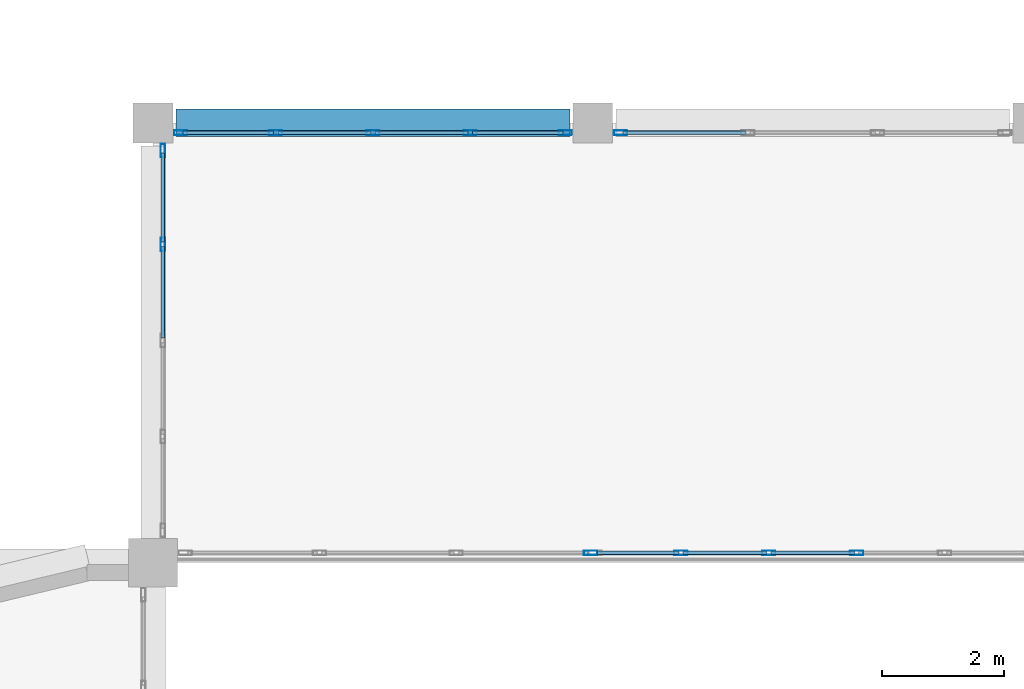
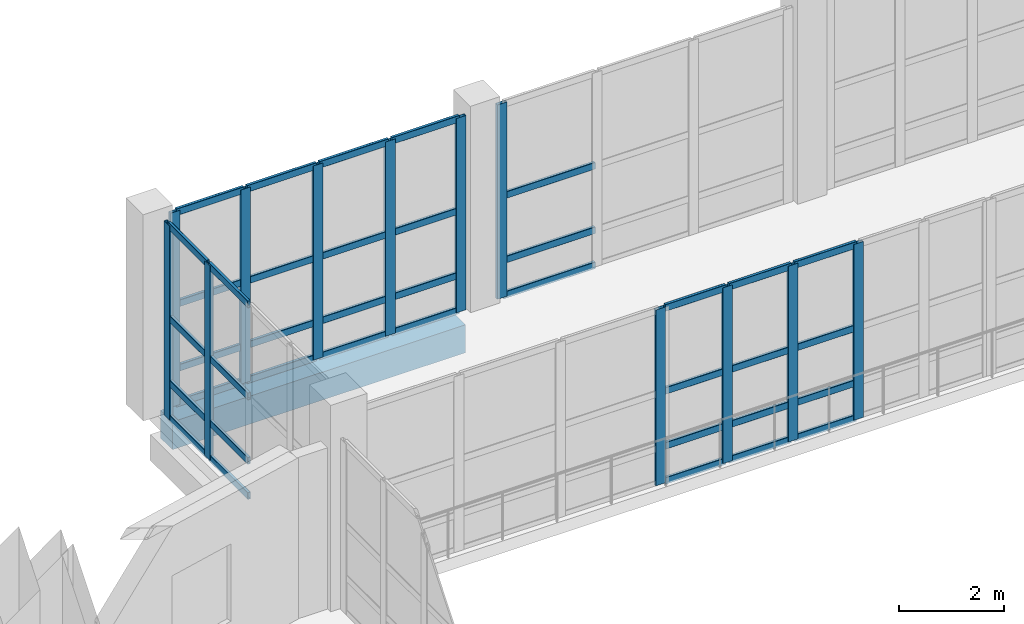
# One storey, part 22 of 127: 51 members, 1 beam, 5 elements without a shape of their own.
"""IFC4 building model written with IfcOpenShell, lengths in metres."""

from ifc_helpers import new_model, si_unit, direction, frame, origin, origin_2d, place, context, subcontext, project, spatial, rectangle, hollow_rectangle, extrude, material, material_profile, profile_set, type_object, element, aggregate, save


model = new_model("IFC4")

# Units and contexts
model_context = context("Model", 3, precision=1e-05, world=origin(), true_north=direction((0.0, 1.0)))
body_context = subcontext(model_context, "Body", "Model", "MODEL_VIEW")
ifc_project = project(units=[si_unit("LENGTHUNIT", "METRE"), si_unit("AREAUNIT", "SQUARE_METRE"), si_unit("VOLUMEUNIT", "CUBIC_METRE"), si_unit("PLANEANGLEUNIT", "RADIAN"), si_unit("MASSUNIT", "GRAM", prefix="KILO")], contexts=[model_context])

# Site, building, storey
site_placement = place(None, origin())
site = spatial("IfcSite", under=ifc_project, at=site_placement, CompositionType="ELEMENT")
building_placement = place(site_placement, origin())
building = spatial("IfcBuilding", under=site, at=building_placement, Name="Kalmorath City Hall", CompositionType="ELEMENT")
storey_placement = place(building_placement, frame((0.0, 0.0, 5.39990234375)))
storey = spatial("IfcBuildingStorey", under=building, at=storey_placement, Name="L01", CompositionType="ELEMENT", Elevation=5.39990234375)

# Beam
ifc_material_1 = material(Name="Concrete C40/50", Category="concrete")
ifc_material_profile_1 = material_profile(ifc_material_1, rectangle(XDim=0.449951171875, YDim=0.64990234375, at=origin_2d()), Name="RC-BM-450X650")
ifc_profile_set_1 = profile_set([ifc_material_profile_1], Name="Concrete C40/50")
beam_type = type_object("IfcBeamType", Name="Concrete spandrel beam 450x650", PredefinedType="SPANDREL", material=ifc_profile_set_1)
beam_placement = place(storey_placement, frame((36.375, 43.199951171875, -0.64892578125), z_axis=(1.0, 0.0, 0.0), x_axis=(0.0, 1.0, 0.0)))
element("IfcBeam", 1, at=beam_placement, inside=storey, type_object=beam_type, Name="L01 girder CB5 X6-7/7", PredefinedType="SPANDREL", context=body_context, shape_type="SweptSolid", body=[
    extrude(rectangle(XDim=0.449951171875, YDim=0.64990234375, at=origin_2d()), origin(), (0.0, 0.0, 1.0), 6.449951171875),
])

# Curtain wall, members
ifc_material_2 = material(Name="Anodised aluminium and laminated glass", Category="aluminium")
curtain_wall_type_1 = type_object("IfcCurtainWallType", Name="Unitised hurricane curtain wall 7200x4090 M1500", PredefinedType="NOTDEFINED", material=ifc_material_2)
curtain_wall_1_placement = place(storey_placement, origin())
curtain_wall_1 = element("IfcCurtainWall", 2, at=curtain_wall_1_placement, inside=storey, type_object=curtain_wall_type_1, Name="L01 curtain wall CW-72X41M15 #78", PredefinedType="NOTDEFINED")
ifc_material_3 = material(Name="Anodised aluminium framing", Category="aluminium")
ifc_material_profile_2 = material_profile(ifc_material_3, hollow_rectangle(XDim=0.074951171875, YDim=0.219970703125, WallThickness=0.00390625, InnerFilletRadius=0.00390625, OuterFilletRadius=0.008056640625, at=origin_2d()), Name="ALU-MUL-220X75X4")
ifc_profile_set_2 = profile_set([ifc_material_profile_2], Name="Anodised aluminium framing")
member_type_1 = type_object("IfcMemberType", Name="Curtain-wall primary mullion 220x75", PredefinedType="MULLION", material=ifc_profile_set_2)
member_1_placement = place(storey_placement, frame((47.52001953125, 36.159912109375, 0.0), z_axis=(0.0, 0.0, 1.0), x_axis=(0.0, -1.0, 0.0)))
member_1 = element("IfcMember", 3, at=member_1_placement, type_object=member_type_1, Name="CW-72X41M15 mullion 3", PredefinedType="MULLION", context=body_context, shape_type="SweptSolid", body=[
    extrude(hollow_rectangle(XDim=0.074951171875, YDim=0.219970703125, WallThickness=0.00390625, InnerFilletRadius=0.00390625, OuterFilletRadius=0.008056640625, at=origin_2d()), origin(), (0.0, 0.0, 1.0), 4.090087890625),
])
member_2_placement = place(storey_placement, frame((46.080078125, 36.159912109375, 0.0), z_axis=(0.0, 0.0, 1.0), x_axis=(0.0, -1.0, 0.0)))
member_2 = element("IfcMember", 4, at=member_2_placement, type_object=member_type_1, Name="CW-72X41M15 mullion 4", PredefinedType="MULLION", context=body_context, shape_type="SweptSolid", body=[
    extrude(hollow_rectangle(XDim=0.074951171875, YDim=0.219970703125, WallThickness=0.00390625, InnerFilletRadius=0.00390625, OuterFilletRadius=0.008056640625, at=origin_2d()), origin(), (0.0, 0.0, 1.0), 4.090087890625),
])
member_3_placement = place(storey_placement, frame((44.639892578125, 36.159912109375, 0.0), z_axis=(0.0, 0.0, 1.0), x_axis=(0.0, -1.0, 0.0)))
member_3 = element("IfcMember", 5, at=member_3_placement, type_object=member_type_1, Name="CW-72X41M15 mullion 5", PredefinedType="MULLION", context=body_context, shape_type="SweptSolid", body=[
    extrude(hollow_rectangle(XDim=0.074951171875, YDim=0.219970703125, WallThickness=0.00390625, InnerFilletRadius=0.00390625, OuterFilletRadius=0.008056640625, at=origin_2d()), origin(), (0.0, 0.0, 1.0), 4.090087890625),
])

# Curtain wall, member
ifc_material_4 = material(Name="Anodised aluminium and laminated glass", Category="aluminium")
curtain_wall_type_2 = type_object("IfcCurtainWallType", Name="Unitised hurricane curtain wall 6710x4090 M2100", PredefinedType="NOTDEFINED", material=ifc_material_4)
curtain_wall_2_placement = place(storey_placement, origin())
curtain_wall_2 = element("IfcCurtainWall", 6, at=curtain_wall_2_placement, inside=storey, type_object=curtain_wall_type_2, Name="L01 curtain wall CW-67X41M21 #79", PredefinedType="NOTDEFINED")
member_4_placement = place(storey_placement, frame((43.16259765625, 36.159912109375, 0.0), z_axis=(0.0, 0.0, 1.0), x_axis=(0.0, -1.0, 0.0)))
member_4 = element("IfcMember", 7, at=member_4_placement, type_object=member_type_1, Name="CW-67X41M21 mullion 1", PredefinedType="MULLION", context=body_context, shape_type="SweptSolid", body=[
    extrude(hollow_rectangle(XDim=0.074951171875, YDim=0.219970703125, WallThickness=0.00390625, InnerFilletRadius=0.00390625, OuterFilletRadius=0.008056640625, at=origin_2d()), origin(), (0.0, 0.0, 1.0), 4.090087890625),
])
aggregate(curtain_wall_2, [member_4])

# Curtain wall, members
ifc_material_5 = material(Name="Anodised aluminium and laminated glass", Category="aluminium")
curtain_wall_type_3 = type_object("IfcCurtainWallType", Name="Unitised hurricane curtain wall 6370x4520 M1500", PredefinedType="NOTDEFINED", material=ifc_material_5)
curtain_wall_3_placement = place(storey_placement, origin())
curtain_wall_3 = element("IfcCurtainWall", 8, at=curtain_wall_3_placement, inside=storey, type_object=curtain_wall_type_3, Name="L01 curtain wall CW-64X45M15 #82", PredefinedType="NOTDEFINED")
member_5_placement = place(storey_placement, frame((36.452392578125, 43.0400390625, 0.0), z_axis=(0.0, 0.0, 1.0), x_axis=(0.0, 1.0, 0.0)))
member_5 = element("IfcMember", 9, at=member_5_placement, type_object=member_type_1, Name="CW-64X45M15 mullion 1", PredefinedType="MULLION", context=body_context, shape_type="SweptSolid", body=[
    extrude(hollow_rectangle(XDim=0.074951171875, YDim=0.219970703125, WallThickness=0.00390625, InnerFilletRadius=0.00390625, OuterFilletRadius=0.008056640625, at=origin_2d()), origin(), (0.0, 0.0, 1.0), 4.52001953125),
])
member_6_placement = place(storey_placement, frame((38.007568359375, 43.0400390625, 0.0), z_axis=(0.0, 0.0, 1.0), x_axis=(0.0, 1.0, 0.0)))
member_6 = element("IfcMember", 10, at=member_6_placement, type_object=member_type_1, Name="CW-64X45M15 mullion 2", PredefinedType="MULLION", context=body_context, shape_type="SweptSolid", body=[
    extrude(hollow_rectangle(XDim=0.074951171875, YDim=0.219970703125, WallThickness=0.00390625, InnerFilletRadius=0.00390625, OuterFilletRadius=0.008056640625, at=origin_2d()), origin(), (0.0, 0.0, 1.0), 4.52001953125),
])
member_7_placement = place(storey_placement, frame((39.60009765625, 43.0400390625, 0.0), z_axis=(0.0, 0.0, 1.0), x_axis=(0.0, 1.0, 0.0)))
member_7 = element("IfcMember", 11, at=member_7_placement, type_object=member_type_1, Name="CW-64X45M15 mullion 3", PredefinedType="MULLION", context=body_context, shape_type="SweptSolid", body=[
    extrude(hollow_rectangle(XDim=0.074951171875, YDim=0.219970703125, WallThickness=0.00390625, InnerFilletRadius=0.00390625, OuterFilletRadius=0.008056640625, at=origin_2d()), origin(), (0.0, 0.0, 1.0), 4.52001953125),
])
member_8_placement = place(storey_placement, frame((41.1923828125, 43.0400390625, 0.0), z_axis=(0.0, 0.0, 1.0), x_axis=(0.0, 1.0, 0.0)))
member_8 = element("IfcMember", 12, at=member_8_placement, type_object=member_type_1, Name="CW-64X45M15 mullion 4", PredefinedType="MULLION", context=body_context, shape_type="SweptSolid", body=[
    extrude(hollow_rectangle(XDim=0.074951171875, YDim=0.219970703125, WallThickness=0.00390625, InnerFilletRadius=0.00390625, OuterFilletRadius=0.008056640625, at=origin_2d()), origin(), (0.0, 0.0, 1.0), 4.52001953125),
])
member_9_placement = place(storey_placement, frame((42.74755859375, 43.0400390625, 0.0), z_axis=(0.0, 0.0, 1.0), x_axis=(0.0, 1.0, 0.0)))
member_9 = element("IfcMember", 13, at=member_9_placement, type_object=member_type_1, Name="CW-64X45M15 mullion 5", PredefinedType="MULLION", context=body_context, shape_type="SweptSolid", body=[
    extrude(hollow_rectangle(XDim=0.074951171875, YDim=0.219970703125, WallThickness=0.00390625, InnerFilletRadius=0.00390625, OuterFilletRadius=0.008056640625, at=origin_2d()), origin(), (0.0, 0.0, 1.0), 4.52001953125),
])

# Curtain wall, member
ifc_material_6 = material(Name="Anodised aluminium and laminated glass", Category="aluminium")
curtain_wall_type_4 = type_object("IfcCurtainWallType", Name="Unitised hurricane curtain wall 6370x4520 M2100", PredefinedType="NOTDEFINED", material=ifc_material_6)
curtain_wall_4_placement = place(storey_placement, origin())
curtain_wall_4 = element("IfcCurtainWall", 14, at=curtain_wall_4_placement, inside=storey, type_object=curtain_wall_type_4, Name="L01 curtain wall CW-64X45M21 #83", PredefinedType="NOTDEFINED")
member_10_placement = place(storey_placement, frame((43.652587890625, 43.0400390625, 0.0), z_axis=(0.0, 0.0, 1.0), x_axis=(0.0, 1.0, 0.0)))
member_10 = element("IfcMember", 15, at=member_10_placement, type_object=member_type_1, Name="CW-64X45M21 mullion 1", PredefinedType="MULLION", context=body_context, shape_type="SweptSolid", body=[
    extrude(hollow_rectangle(XDim=0.074951171875, YDim=0.219970703125, WallThickness=0.00390625, InnerFilletRadius=0.00390625, OuterFilletRadius=0.008056640625, at=origin_2d()), origin(), (0.0, 0.0, 1.0), 4.52001953125),
])

# Curtain wall, members
ifc_material_7 = material(Name="Anodised aluminium and laminated glass", Category="aluminium")
curtain_wall_type_5 = type_object("IfcCurtainWallType", Name="Unitised hurricane curtain wall 6295x4520 M1500", PredefinedType="NOTDEFINED", material=ifc_material_7)
curtain_wall_5_placement = place(storey_placement, origin())
curtain_wall_5 = element("IfcCurtainWall", 16, at=curtain_wall_5_placement, inside=storey, type_object=curtain_wall_type_5, Name="L01 curtain wall CW-63X45M15 #112", PredefinedType="NOTDEFINED")
member_11_placement = place(storey_placement, frame((36.159912109375, 41.211181640625, 0.0), z_axis=(0.0, 0.0, 1.0), x_axis=(-1.0, 0.0, 0.0)))
member_11 = element("IfcMember", 17, at=member_11_placement, type_object=member_type_1, Name="CW-63X45M15 mullion 4", PredefinedType="MULLION", context=body_context, shape_type="SweptSolid", body=[
    extrude(hollow_rectangle(XDim=0.074951171875, YDim=0.219970703125, WallThickness=0.00390625, InnerFilletRadius=0.00390625, OuterFilletRadius=0.008056640625, at=origin_2d()), origin(), (0.0, 0.0, 1.0), 4.52001953125),
])
member_12_placement = place(storey_placement, frame((36.159912109375, 42.74755859375, 0.0), z_axis=(0.0, 0.0, 1.0), x_axis=(-1.0, 0.0, 0.0)))
member_12 = element("IfcMember", 18, at=member_12_placement, type_object=member_type_1, Name="CW-63X45M15 mullion 5", PredefinedType="MULLION", context=body_context, shape_type="SweptSolid", body=[
    extrude(hollow_rectangle(XDim=0.074951171875, YDim=0.219970703125, WallThickness=0.00390625, InnerFilletRadius=0.00390625, OuterFilletRadius=0.008056640625, at=origin_2d()), origin(), (0.0, 0.0, 1.0), 4.52001953125),
])

# Member
ifc_material_8 = material(Name="Anodised aluminium framing", Category="aluminium")
ifc_material_profile_3 = material_profile(ifc_material_8, hollow_rectangle(XDim=0.06494140625, YDim=0.159912109375, WallThickness=0.00390625, InnerFilletRadius=0.00390625, OuterFilletRadius=0.008056640625, at=origin_2d()), Name="ALU-TRN-160X65X4")
ifc_profile_set_3 = profile_set([ifc_material_profile_3], Name="Anodised aluminium framing")
member_type_2 = type_object("IfcMemberType", Name="Curtain-wall primary transom 160x65", PredefinedType="USERDEFINED", material=ifc_profile_set_3)
member_13_placement = place(storey_placement, frame((47.482421875, 36.159912109375, 0.03271484375), z_axis=(-1.0, 0.0, 0.0), x_axis=(0.0, -1.0, 0.0)))
member_13 = element("IfcMember", 19, at=member_13_placement, type_object=member_type_2, Name="CW-72X41M15 transom 3.1", ObjectType="TRANSOM", PredefinedType="USERDEFINED", context=body_context, shape_type="SweptSolid", body=[
    extrude(hollow_rectangle(XDim=0.06494140625, YDim=0.159912109375, WallThickness=0.00390625, InnerFilletRadius=0.00390625, OuterFilletRadius=0.008056640625, at=origin_2d()), origin(), (0.0, 0.0, 1.0), 1.364990234375),
])

member_14_placement = place(storey_placement, frame((47.482421875, 36.159912109375, 0.85009765625), z_axis=(-1.0, 0.0, 0.0), x_axis=(0.0, -1.0, 0.0)))
member_14 = element("IfcMember", 20, at=member_14_placement, type_object=member_type_2, Name="CW-72X41M15 transom 3.2", ObjectType="TRANSOM", PredefinedType="USERDEFINED", context=body_context, shape_type="SweptSolid", body=[
    extrude(hollow_rectangle(XDim=0.06494140625, YDim=0.159912109375, WallThickness=0.00390625, InnerFilletRadius=0.00390625, OuterFilletRadius=0.008056640625, at=origin_2d()), origin(), (0.0, 0.0, 1.0), 1.364990234375),
])

member_15_placement = place(storey_placement, frame((47.482421875, 36.159912109375, 2.127197265625), z_axis=(-1.0, 0.0, 0.0), x_axis=(0.0, -1.0, 0.0)))
member_15 = element("IfcMember", 21, at=member_15_placement, type_object=member_type_2, Name="CW-72X41M15 transom 3.3", ObjectType="TRANSOM", PredefinedType="USERDEFINED", context=body_context, shape_type="SweptSolid", body=[
    extrude(hollow_rectangle(XDim=0.06494140625, YDim=0.159912109375, WallThickness=0.00390625, InnerFilletRadius=0.00390625, OuterFilletRadius=0.008056640625, at=origin_2d()), origin(), (0.0, 0.0, 1.0), 1.364990234375),
])

member_16_placement = place(storey_placement, frame((47.482421875, 36.159912109375, 4.0576171875), z_axis=(-1.0, 0.0, 0.0), x_axis=(0.0, -1.0, 0.0)))
member_16 = element("IfcMember", 22, at=member_16_placement, type_object=member_type_2, Name="CW-72X41M15 transom 3.4", ObjectType="TRANSOM", PredefinedType="USERDEFINED", context=body_context, shape_type="SweptSolid", body=[
    extrude(hollow_rectangle(XDim=0.06494140625, YDim=0.159912109375, WallThickness=0.00390625, InnerFilletRadius=0.00390625, OuterFilletRadius=0.008056640625, at=origin_2d()), origin(), (0.0, 0.0, 1.0), 1.364990234375),
])

member_17_placement = place(storey_placement, frame((46.04248046875, 36.159912109375, 0.03271484375), z_axis=(-1.0, 0.0, 0.0), x_axis=(0.0, -1.0, 0.0)))
member_17 = element("IfcMember", 23, at=member_17_placement, type_object=member_type_2, Name="CW-72X41M15 transom 4.1", ObjectType="TRANSOM", PredefinedType="USERDEFINED", context=body_context, shape_type="SweptSolid", body=[
    extrude(hollow_rectangle(XDim=0.06494140625, YDim=0.159912109375, WallThickness=0.00390625, InnerFilletRadius=0.00390625, OuterFilletRadius=0.008056640625, at=origin_2d()), origin(), (0.0, 0.0, 1.0), 1.364990234375),
])

member_18_placement = place(storey_placement, frame((46.04248046875, 36.159912109375, 0.85009765625), z_axis=(-1.0, 0.0, 0.0), x_axis=(0.0, -1.0, 0.0)))
member_18 = element("IfcMember", 24, at=member_18_placement, type_object=member_type_2, Name="CW-72X41M15 transom 4.2", ObjectType="TRANSOM", PredefinedType="USERDEFINED", context=body_context, shape_type="SweptSolid", body=[
    extrude(hollow_rectangle(XDim=0.06494140625, YDim=0.159912109375, WallThickness=0.00390625, InnerFilletRadius=0.00390625, OuterFilletRadius=0.008056640625, at=origin_2d()), origin(), (0.0, 0.0, 1.0), 1.364990234375),
])

member_19_placement = place(storey_placement, frame((46.04248046875, 36.159912109375, 2.127197265625), z_axis=(-1.0, 0.0, 0.0), x_axis=(0.0, -1.0, 0.0)))
member_19 = element("IfcMember", 25, at=member_19_placement, type_object=member_type_2, Name="CW-72X41M15 transom 4.3", ObjectType="TRANSOM", PredefinedType="USERDEFINED", context=body_context, shape_type="SweptSolid", body=[
    extrude(hollow_rectangle(XDim=0.06494140625, YDim=0.159912109375, WallThickness=0.00390625, InnerFilletRadius=0.00390625, OuterFilletRadius=0.008056640625, at=origin_2d()), origin(), (0.0, 0.0, 1.0), 1.364990234375),
])

member_20_placement = place(storey_placement, frame((46.04248046875, 36.159912109375, 4.0576171875), z_axis=(-1.0, 0.0, 0.0), x_axis=(0.0, -1.0, 0.0)))
member_20 = element("IfcMember", 26, at=member_20_placement, type_object=member_type_2, Name="CW-72X41M15 transom 4.4", ObjectType="TRANSOM", PredefinedType="USERDEFINED", context=body_context, shape_type="SweptSolid", body=[
    extrude(hollow_rectangle(XDim=0.06494140625, YDim=0.159912109375, WallThickness=0.00390625, InnerFilletRadius=0.00390625, OuterFilletRadius=0.008056640625, at=origin_2d()), origin(), (0.0, 0.0, 1.0), 1.364990234375),
])

member_21_placement = place(storey_placement, frame((44.6025390625, 36.159912109375, 0.03271484375), z_axis=(-1.0, 0.0, 0.0), x_axis=(0.0, -1.0, 0.0)))
member_21 = element("IfcMember", 27, at=member_21_placement, type_object=member_type_2, Name="CW-72X41M15 transom 5.1", ObjectType="TRANSOM", PredefinedType="USERDEFINED", context=body_context, shape_type="SweptSolid", body=[
    extrude(hollow_rectangle(XDim=0.06494140625, YDim=0.159912109375, WallThickness=0.00390625, InnerFilletRadius=0.00390625, OuterFilletRadius=0.008056640625, at=origin_2d()), origin(), (0.0, 0.0, 1.0), 1.32763671875),
])

member_22_placement = place(storey_placement, frame((44.6025390625, 36.159912109375, 0.85009765625), z_axis=(-1.0, 0.0, 0.0), x_axis=(0.0, -1.0, 0.0)))
member_22 = element("IfcMember", 28, at=member_22_placement, type_object=member_type_2, Name="CW-72X41M15 transom 5.2", ObjectType="TRANSOM", PredefinedType="USERDEFINED", context=body_context, shape_type="SweptSolid", body=[
    extrude(hollow_rectangle(XDim=0.06494140625, YDim=0.159912109375, WallThickness=0.00390625, InnerFilletRadius=0.00390625, OuterFilletRadius=0.008056640625, at=origin_2d()), origin(), (0.0, 0.0, 1.0), 1.32763671875),
])

member_23_placement = place(storey_placement, frame((44.6025390625, 36.159912109375, 2.127197265625), z_axis=(-1.0, 0.0, 0.0), x_axis=(0.0, -1.0, 0.0)))
member_23 = element("IfcMember", 29, at=member_23_placement, type_object=member_type_2, Name="CW-72X41M15 transom 5.3", ObjectType="TRANSOM", PredefinedType="USERDEFINED", context=body_context, shape_type="SweptSolid", body=[
    extrude(hollow_rectangle(XDim=0.06494140625, YDim=0.159912109375, WallThickness=0.00390625, InnerFilletRadius=0.00390625, OuterFilletRadius=0.008056640625, at=origin_2d()), origin(), (0.0, 0.0, 1.0), 1.32763671875),
])

member_24_placement = place(storey_placement, frame((44.6025390625, 36.159912109375, 4.0576171875), z_axis=(-1.0, 0.0, 0.0), x_axis=(0.0, -1.0, 0.0)))
member_24 = element("IfcMember", 30, at=member_24_placement, type_object=member_type_2, Name="CW-72X41M15 transom 5.4", ObjectType="TRANSOM", PredefinedType="USERDEFINED", context=body_context, shape_type="SweptSolid", body=[
    extrude(hollow_rectangle(XDim=0.06494140625, YDim=0.159912109375, WallThickness=0.00390625, InnerFilletRadius=0.00390625, OuterFilletRadius=0.008056640625, at=origin_2d()), origin(), (0.0, 0.0, 1.0), 1.32763671875),
])

aggregate(curtain_wall_1, [member_1, member_2, member_3, member_13, member_14, member_15, member_16, member_17, member_18, member_19, member_20, member_21, member_22, member_23, member_24])

member_25_placement = place(storey_placement, frame((36.489990234375, 43.0400390625, 0.03271484375), z_axis=(1.0, 0.0, 0.0), x_axis=(0.0, 1.0, 0.0)))
member_25 = element("IfcMember", 31, at=member_25_placement, type_object=member_type_2, Name="CW-64X45M15 transom 1.1", ObjectType="TRANSOM", PredefinedType="USERDEFINED", context=body_context, shape_type="SweptSolid", body=[
    extrude(hollow_rectangle(XDim=0.06494140625, YDim=0.159912109375, WallThickness=0.00390625, InnerFilletRadius=0.00390625, OuterFilletRadius=0.008056640625, at=origin_2d()), origin(), (0.0, 0.0, 1.0), 1.47998046875),
])

member_26_placement = place(storey_placement, frame((36.489990234375, 43.0400390625, 0.85009765625), z_axis=(1.0, 0.0, 0.0), x_axis=(0.0, 1.0, 0.0)))
member_26 = element("IfcMember", 32, at=member_26_placement, type_object=member_type_2, Name="CW-64X45M15 transom 1.2", ObjectType="TRANSOM", PredefinedType="USERDEFINED", context=body_context, shape_type="SweptSolid", body=[
    extrude(hollow_rectangle(XDim=0.06494140625, YDim=0.159912109375, WallThickness=0.00390625, InnerFilletRadius=0.00390625, OuterFilletRadius=0.008056640625, at=origin_2d()), origin(), (0.0, 0.0, 1.0), 1.47998046875),
])

member_27_placement = place(storey_placement, frame((36.489990234375, 43.0400390625, 2.35009765625), z_axis=(1.0, 0.0, 0.0), x_axis=(0.0, 1.0, 0.0)))
member_27 = element("IfcMember", 33, at=member_27_placement, type_object=member_type_2, Name="CW-64X45M15 transom 1.3", ObjectType="TRANSOM", PredefinedType="USERDEFINED", context=body_context, shape_type="SweptSolid", body=[
    extrude(hollow_rectangle(XDim=0.06494140625, YDim=0.159912109375, WallThickness=0.00390625, InnerFilletRadius=0.00390625, OuterFilletRadius=0.008056640625, at=origin_2d()), origin(), (0.0, 0.0, 1.0), 1.47998046875),
])

member_28_placement = place(storey_placement, frame((36.489990234375, 43.0400390625, 4.487548828125), z_axis=(1.0, 0.0, 0.0), x_axis=(0.0, 1.0, 0.0)))
member_28 = element("IfcMember", 34, at=member_28_placement, type_object=member_type_2, Name="CW-64X45M15 transom 1.4", ObjectType="TRANSOM", PredefinedType="USERDEFINED", context=body_context, shape_type="SweptSolid", body=[
    extrude(hollow_rectangle(XDim=0.06494140625, YDim=0.159912109375, WallThickness=0.00390625, InnerFilletRadius=0.00390625, OuterFilletRadius=0.008056640625, at=origin_2d()), origin(), (0.0, 0.0, 1.0), 1.47998046875),
])

member_29_placement = place(storey_placement, frame((38.044921875, 43.0400390625, 0.03271484375), z_axis=(1.0, 0.0, 0.0), x_axis=(0.0, 1.0, 0.0)))
member_29 = element("IfcMember", 35, at=member_29_placement, type_object=member_type_2, Name="CW-64X45M15 transom 2.1", ObjectType="TRANSOM", PredefinedType="USERDEFINED", context=body_context, shape_type="SweptSolid", body=[
    extrude(hollow_rectangle(XDim=0.06494140625, YDim=0.159912109375, WallThickness=0.00390625, InnerFilletRadius=0.00390625, OuterFilletRadius=0.008056640625, at=origin_2d()), origin(), (0.0, 0.0, 1.0), 1.517578125),
])

member_30_placement = place(storey_placement, frame((38.044921875, 43.0400390625, 0.85009765625), z_axis=(1.0, 0.0, 0.0), x_axis=(0.0, 1.0, 0.0)))
member_30 = element("IfcMember", 36, at=member_30_placement, type_object=member_type_2, Name="CW-64X45M15 transom 2.2", ObjectType="TRANSOM", PredefinedType="USERDEFINED", context=body_context, shape_type="SweptSolid", body=[
    extrude(hollow_rectangle(XDim=0.06494140625, YDim=0.159912109375, WallThickness=0.00390625, InnerFilletRadius=0.00390625, OuterFilletRadius=0.008056640625, at=origin_2d()), origin(), (0.0, 0.0, 1.0), 1.517578125),
])

member_31_placement = place(storey_placement, frame((38.044921875, 43.0400390625, 2.35009765625), z_axis=(1.0, 0.0, 0.0), x_axis=(0.0, 1.0, 0.0)))
member_31 = element("IfcMember", 37, at=member_31_placement, type_object=member_type_2, Name="CW-64X45M15 transom 2.3", ObjectType="TRANSOM", PredefinedType="USERDEFINED", context=body_context, shape_type="SweptSolid", body=[
    extrude(hollow_rectangle(XDim=0.06494140625, YDim=0.159912109375, WallThickness=0.00390625, InnerFilletRadius=0.00390625, OuterFilletRadius=0.008056640625, at=origin_2d()), origin(), (0.0, 0.0, 1.0), 1.517578125),
])

member_32_placement = place(storey_placement, frame((38.044921875, 43.0400390625, 4.487548828125), z_axis=(1.0, 0.0, 0.0), x_axis=(0.0, 1.0, 0.0)))
member_32 = element("IfcMember", 38, at=member_32_placement, type_object=member_type_2, Name="CW-64X45M15 transom 2.4", ObjectType="TRANSOM", PredefinedType="USERDEFINED", context=body_context, shape_type="SweptSolid", body=[
    extrude(hollow_rectangle(XDim=0.06494140625, YDim=0.159912109375, WallThickness=0.00390625, InnerFilletRadius=0.00390625, OuterFilletRadius=0.008056640625, at=origin_2d()), origin(), (0.0, 0.0, 1.0), 1.517578125),
])

member_33_placement = place(storey_placement, frame((39.637451171875, 43.0400390625, 0.03271484375), z_axis=(1.0, 0.0, 0.0), x_axis=(0.0, 1.0, 0.0)))
member_33 = element("IfcMember", 39, at=member_33_placement, type_object=member_type_2, Name="CW-64X45M15 transom 3.1", ObjectType="TRANSOM", PredefinedType="USERDEFINED", context=body_context, shape_type="SweptSolid", body=[
    extrude(hollow_rectangle(XDim=0.06494140625, YDim=0.159912109375, WallThickness=0.00390625, InnerFilletRadius=0.00390625, OuterFilletRadius=0.008056640625, at=origin_2d()), origin(), (0.0, 0.0, 1.0), 1.517578125),
])

member_34_placement = place(storey_placement, frame((39.637451171875, 43.0400390625, 0.85009765625), z_axis=(1.0, 0.0, 0.0), x_axis=(0.0, 1.0, 0.0)))
member_34 = element("IfcMember", 40, at=member_34_placement, type_object=member_type_2, Name="CW-64X45M15 transom 3.2", ObjectType="TRANSOM", PredefinedType="USERDEFINED", context=body_context, shape_type="SweptSolid", body=[
    extrude(hollow_rectangle(XDim=0.06494140625, YDim=0.159912109375, WallThickness=0.00390625, InnerFilletRadius=0.00390625, OuterFilletRadius=0.008056640625, at=origin_2d()), origin(), (0.0, 0.0, 1.0), 1.517578125),
])

member_35_placement = place(storey_placement, frame((39.637451171875, 43.0400390625, 2.35009765625), z_axis=(1.0, 0.0, 0.0), x_axis=(0.0, 1.0, 0.0)))
member_35 = element("IfcMember", 41, at=member_35_placement, type_object=member_type_2, Name="CW-64X45M15 transom 3.3", ObjectType="TRANSOM", PredefinedType="USERDEFINED", context=body_context, shape_type="SweptSolid", body=[
    extrude(hollow_rectangle(XDim=0.06494140625, YDim=0.159912109375, WallThickness=0.00390625, InnerFilletRadius=0.00390625, OuterFilletRadius=0.008056640625, at=origin_2d()), origin(), (0.0, 0.0, 1.0), 1.517578125),
])

member_36_placement = place(storey_placement, frame((39.637451171875, 43.0400390625, 4.487548828125), z_axis=(1.0, 0.0, 0.0), x_axis=(0.0, 1.0, 0.0)))
member_36 = element("IfcMember", 42, at=member_36_placement, type_object=member_type_2, Name="CW-64X45M15 transom 3.4", ObjectType="TRANSOM", PredefinedType="USERDEFINED", context=body_context, shape_type="SweptSolid", body=[
    extrude(hollow_rectangle(XDim=0.06494140625, YDim=0.159912109375, WallThickness=0.00390625, InnerFilletRadius=0.00390625, OuterFilletRadius=0.008056640625, at=origin_2d()), origin(), (0.0, 0.0, 1.0), 1.517578125),
])

member_37_placement = place(storey_placement, frame((41.22998046875, 43.0400390625, 0.03271484375), z_axis=(1.0, 0.0, 0.0), x_axis=(0.0, 1.0, 0.0)))
member_37 = element("IfcMember", 43, at=member_37_placement, type_object=member_type_2, Name="CW-64X45M15 transom 4.1", ObjectType="TRANSOM", PredefinedType="USERDEFINED", context=body_context, shape_type="SweptSolid", body=[
    extrude(hollow_rectangle(XDim=0.06494140625, YDim=0.159912109375, WallThickness=0.00390625, InnerFilletRadius=0.00390625, OuterFilletRadius=0.008056640625, at=origin_2d()), origin(), (0.0, 0.0, 1.0), 1.47998046875),
])

member_38_placement = place(storey_placement, frame((41.22998046875, 43.0400390625, 0.85009765625), z_axis=(1.0, 0.0, 0.0), x_axis=(0.0, 1.0, 0.0)))
member_38 = element("IfcMember", 44, at=member_38_placement, type_object=member_type_2, Name="CW-64X45M15 transom 4.2", ObjectType="TRANSOM", PredefinedType="USERDEFINED", context=body_context, shape_type="SweptSolid", body=[
    extrude(hollow_rectangle(XDim=0.06494140625, YDim=0.159912109375, WallThickness=0.00390625, InnerFilletRadius=0.00390625, OuterFilletRadius=0.008056640625, at=origin_2d()), origin(), (0.0, 0.0, 1.0), 1.47998046875),
])

member_39_placement = place(storey_placement, frame((41.22998046875, 43.0400390625, 2.35009765625), z_axis=(1.0, 0.0, 0.0), x_axis=(0.0, 1.0, 0.0)))
member_39 = element("IfcMember", 45, at=member_39_placement, type_object=member_type_2, Name="CW-64X45M15 transom 4.3", ObjectType="TRANSOM", PredefinedType="USERDEFINED", context=body_context, shape_type="SweptSolid", body=[
    extrude(hollow_rectangle(XDim=0.06494140625, YDim=0.159912109375, WallThickness=0.00390625, InnerFilletRadius=0.00390625, OuterFilletRadius=0.008056640625, at=origin_2d()), origin(), (0.0, 0.0, 1.0), 1.47998046875),
])

member_40_placement = place(storey_placement, frame((41.22998046875, 43.0400390625, 4.487548828125), z_axis=(1.0, 0.0, 0.0), x_axis=(0.0, 1.0, 0.0)))
member_40 = element("IfcMember", 46, at=member_40_placement, type_object=member_type_2, Name="CW-64X45M15 transom 4.4", ObjectType="TRANSOM", PredefinedType="USERDEFINED", context=body_context, shape_type="SweptSolid", body=[
    extrude(hollow_rectangle(XDim=0.06494140625, YDim=0.159912109375, WallThickness=0.00390625, InnerFilletRadius=0.00390625, OuterFilletRadius=0.008056640625, at=origin_2d()), origin(), (0.0, 0.0, 1.0), 1.47998046875),
])

aggregate(curtain_wall_3, [member_5, member_6, member_7, member_8, member_9, member_25, member_26, member_27, member_28, member_29, member_30, member_31, member_32, member_33, member_34, member_35, member_36, member_37, member_38, member_39, member_40])

member_41_placement = place(storey_placement, frame((43.68994140625, 43.0400390625, 0.03271484375), z_axis=(1.0, 0.0, 0.0), x_axis=(0.0, 1.0, 0.0)))
member_41 = element("IfcMember", 47, at=member_41_placement, type_object=member_type_2, Name="CW-64X45M21 transom 1.1", ObjectType="TRANSOM", PredefinedType="USERDEFINED", context=body_context, shape_type="SweptSolid", body=[
    extrude(hollow_rectangle(XDim=0.06494140625, YDim=0.159912109375, WallThickness=0.00390625, InnerFilletRadius=0.00390625, OuterFilletRadius=0.008056640625, at=origin_2d()), origin(), (0.0, 0.0, 1.0), 2.010986328125),
])

member_42_placement = place(storey_placement, frame((43.68994140625, 43.0400390625, 0.85009765625), z_axis=(1.0, 0.0, 0.0), x_axis=(0.0, 1.0, 0.0)))
member_42 = element("IfcMember", 48, at=member_42_placement, type_object=member_type_2, Name="CW-64X45M21 transom 1.2", ObjectType="TRANSOM", PredefinedType="USERDEFINED", context=body_context, shape_type="SweptSolid", body=[
    extrude(hollow_rectangle(XDim=0.06494140625, YDim=0.159912109375, WallThickness=0.00390625, InnerFilletRadius=0.00390625, OuterFilletRadius=0.008056640625, at=origin_2d()), origin(), (0.0, 0.0, 1.0), 2.010986328125),
])

member_43_placement = place(storey_placement, frame((43.68994140625, 43.0400390625, 2.35009765625), z_axis=(1.0, 0.0, 0.0), x_axis=(0.0, 1.0, 0.0)))
member_43 = element("IfcMember", 49, at=member_43_placement, type_object=member_type_2, Name="CW-64X45M21 transom 1.3", ObjectType="TRANSOM", PredefinedType="USERDEFINED", context=body_context, shape_type="SweptSolid", body=[
    extrude(hollow_rectangle(XDim=0.06494140625, YDim=0.159912109375, WallThickness=0.00390625, InnerFilletRadius=0.00390625, OuterFilletRadius=0.008056640625, at=origin_2d()), origin(), (0.0, 0.0, 1.0), 2.010986328125),
])

aggregate(curtain_wall_4, [member_10, member_41, member_42, member_43])

member_44_placement = place(storey_placement, frame((36.159912109375, 39.675048828125, 0.03271484375), z_axis=(0.0, 1.0, 0.0), x_axis=(-1.0, 0.0, 0.0)))
member_44 = element("IfcMember", 50, at=member_44_placement, type_object=member_type_2, Name="CW-63X45M15 transom 3.1", ObjectType="TRANSOM", PredefinedType="USERDEFINED", context=body_context, shape_type="SweptSolid", body=[
    extrude(hollow_rectangle(XDim=0.06494140625, YDim=0.159912109375, WallThickness=0.00390625, InnerFilletRadius=0.00390625, OuterFilletRadius=0.008056640625, at=origin_2d()), origin(), (0.0, 0.0, 1.0), 1.498779296875),
])

member_45_placement = place(storey_placement, frame((36.159912109375, 39.675048828125, 0.85009765625), z_axis=(0.0, 1.0, 0.0), x_axis=(-1.0, 0.0, 0.0)))
member_45 = element("IfcMember", 51, at=member_45_placement, type_object=member_type_2, Name="CW-63X45M15 transom 3.2", ObjectType="TRANSOM", PredefinedType="USERDEFINED", context=body_context, shape_type="SweptSolid", body=[
    extrude(hollow_rectangle(XDim=0.06494140625, YDim=0.159912109375, WallThickness=0.00390625, InnerFilletRadius=0.00390625, OuterFilletRadius=0.008056640625, at=origin_2d()), origin(), (0.0, 0.0, 1.0), 1.498779296875),
])

member_46_placement = place(storey_placement, frame((36.159912109375, 39.675048828125, 2.35009765625), z_axis=(0.0, 1.0, 0.0), x_axis=(-1.0, 0.0, 0.0)))
member_46 = element("IfcMember", 52, at=member_46_placement, type_object=member_type_2, Name="CW-63X45M15 transom 3.3", ObjectType="TRANSOM", PredefinedType="USERDEFINED", context=body_context, shape_type="SweptSolid", body=[
    extrude(hollow_rectangle(XDim=0.06494140625, YDim=0.159912109375, WallThickness=0.00390625, InnerFilletRadius=0.00390625, OuterFilletRadius=0.008056640625, at=origin_2d()), origin(), (0.0, 0.0, 1.0), 1.498779296875),
])

member_47_placement = place(storey_placement, frame((36.159912109375, 39.675048828125, 4.487548828125), z_axis=(0.0, 1.0, 0.0), x_axis=(-1.0, 0.0, 0.0)))
member_47 = element("IfcMember", 53, at=member_47_placement, type_object=member_type_2, Name="CW-63X45M15 transom 3.4", ObjectType="TRANSOM", PredefinedType="USERDEFINED", context=body_context, shape_type="SweptSolid", body=[
    extrude(hollow_rectangle(XDim=0.06494140625, YDim=0.159912109375, WallThickness=0.00390625, InnerFilletRadius=0.00390625, OuterFilletRadius=0.008056640625, at=origin_2d()), origin(), (0.0, 0.0, 1.0), 1.498779296875),
])

member_48_placement = place(storey_placement, frame((36.159912109375, 41.248779296875, 0.03271484375), z_axis=(0.0, 1.0, 0.0), x_axis=(-1.0, 0.0, 0.0)))
member_48 = element("IfcMember", 54, at=member_48_placement, type_object=member_type_2, Name="CW-63X45M15 transom 4.1", ObjectType="TRANSOM", PredefinedType="USERDEFINED", context=body_context, shape_type="SweptSolid", body=[
    extrude(hollow_rectangle(XDim=0.06494140625, YDim=0.159912109375, WallThickness=0.00390625, InnerFilletRadius=0.00390625, OuterFilletRadius=0.008056640625, at=origin_2d()), origin(), (0.0, 0.0, 1.0), 1.461181640625),
])

member_49_placement = place(storey_placement, frame((36.159912109375, 41.248779296875, 0.85009765625), z_axis=(0.0, 1.0, 0.0), x_axis=(-1.0, 0.0, 0.0)))
member_49 = element("IfcMember", 55, at=member_49_placement, type_object=member_type_2, Name="CW-63X45M15 transom 4.2", ObjectType="TRANSOM", PredefinedType="USERDEFINED", context=body_context, shape_type="SweptSolid", body=[
    extrude(hollow_rectangle(XDim=0.06494140625, YDim=0.159912109375, WallThickness=0.00390625, InnerFilletRadius=0.00390625, OuterFilletRadius=0.008056640625, at=origin_2d()), origin(), (0.0, 0.0, 1.0), 1.461181640625),
])

member_50_placement = place(storey_placement, frame((36.159912109375, 41.248779296875, 2.35009765625), z_axis=(0.0, 1.0, 0.0), x_axis=(-1.0, 0.0, 0.0)))
member_50 = element("IfcMember", 56, at=member_50_placement, type_object=member_type_2, Name="CW-63X45M15 transom 4.3", ObjectType="TRANSOM", PredefinedType="USERDEFINED", context=body_context, shape_type="SweptSolid", body=[
    extrude(hollow_rectangle(XDim=0.06494140625, YDim=0.159912109375, WallThickness=0.00390625, InnerFilletRadius=0.00390625, OuterFilletRadius=0.008056640625, at=origin_2d()), origin(), (0.0, 0.0, 1.0), 1.461181640625),
])

member_51_placement = place(storey_placement, frame((36.159912109375, 41.248779296875, 4.487548828125), z_axis=(0.0, 1.0, 0.0), x_axis=(-1.0, 0.0, 0.0)))
member_51 = element("IfcMember", 57, at=member_51_placement, type_object=member_type_2, Name="CW-63X45M15 transom 4.4", ObjectType="TRANSOM", PredefinedType="USERDEFINED", context=body_context, shape_type="SweptSolid", body=[
    extrude(hollow_rectangle(XDim=0.06494140625, YDim=0.159912109375, WallThickness=0.00390625, InnerFilletRadius=0.00390625, OuterFilletRadius=0.008056640625, at=origin_2d()), origin(), (0.0, 0.0, 1.0), 1.461181640625),
])

aggregate(curtain_wall_5, [member_11, member_12, member_44, member_45, member_46, member_47, member_48, member_49, member_50, member_51])

save(model, "model.ifc")
